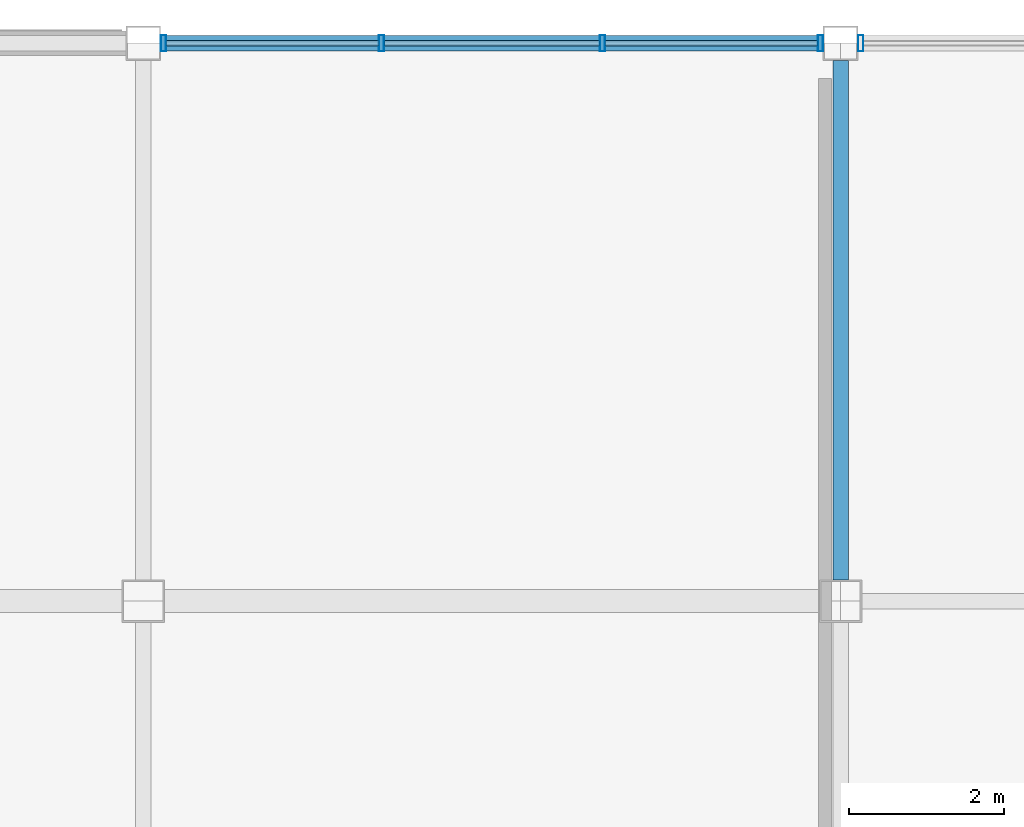
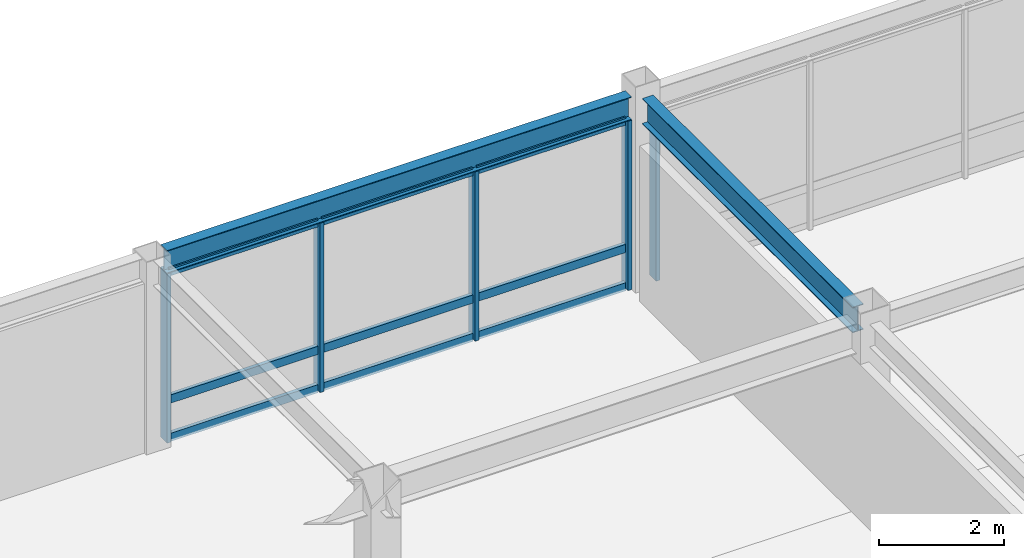
# One storey, part 64 of 113: 14 members, 2 beams, 2 elements without a shape of their own.
"""IFC4 building model written with IfcOpenShell, lengths in metres."""

from ifc_helpers import new_model, si_unit, direction, frame, origin, origin_2d, place, context, subcontext, project, spatial, hollow_rectangle, i_section, extrude, material, material_profile, profile_set, type_object, element, aggregate, save


model = new_model("IFC4")

# Units and contexts
model_context = context("Model", 3, precision=1e-05, world=origin(), true_north=direction((0.0, 1.0)))
body_context = subcontext(model_context, "Body", "Model", "MODEL_VIEW")
ifc_project = project(units=[si_unit("LENGTHUNIT", "METRE"), si_unit("AREAUNIT", "SQUARE_METRE"), si_unit("VOLUMEUNIT", "CUBIC_METRE"), si_unit("PLANEANGLEUNIT", "RADIAN"), si_unit("MASSUNIT", "GRAM", prefix="KILO")], contexts=[model_context])

# Site, building, storey
site_placement = place(None, origin())
site = spatial("IfcSite", under=ifc_project, at=site_placement, CompositionType="ELEMENT")
building_placement = place(site_placement, origin())
building = spatial("IfcBuilding", under=site, at=building_placement, Name="Kazanami Central Library", CompositionType="ELEMENT")
storey_placement = place(building_placement, frame((0.0, 0.0, 8.800048828125)))
storey = spatial("IfcBuildingStorey", under=building, at=storey_placement, Name="L03", CompositionType="ELEMENT", Elevation=8.800048828125)

# Beams
ifc_material_1 = material(Name="Steel SN490B (325 MPa)", Category="steel")
ifc_material_profile_1 = material_profile(ifc_material_1, i_section(OverallWidth=0.199951171875, OverallDepth=0.5, WebThickness=0.010009765625, FlangeThickness=0.01611328125, at=origin_2d()), Name="H-500x200x10x16")
ifc_profile_set_1 = profile_set([ifc_material_profile_1], Name="Steel SN490B (325 MPa)")
beam_type_1 = type_object("IfcBeamType", Name="BM-G-Y2", PredefinedType="BEAM", material=ifc_profile_set_1)
beam_1_placement = place(storey_placement, frame((63.0, 86.673095703125, 3.494873046875), z_axis=(0.0, 1.0, 0.0), x_axis=(-1.0, 0.0, 0.0)))
element("IfcBeam", 1, at=beam_1_placement, inside=storey, type_object=beam_type_1, Name="Girder G-Y2 L03 8/N-O", PredefinedType="BEAM", context=body_context, shape_type="SweptSolid", body=[
    extrude(i_section(OverallWidth=0.199951171875, OverallDepth=0.5, WebThickness=0.010009765625, FlangeThickness=0.01611328125, at=origin_2d()), origin(), (0.0, 0.0, 1.0), 6.703857421875),
])
ifc_material_profile_2 = material_profile(ifc_material_1, i_section(OverallWidth=0.199951171875, OverallDepth=0.449951171875, WebThickness=0.009033203125, FlangeThickness=0.013916015625, at=origin_2d()), Name="H-450x200x9x14")
ifc_profile_set_2 = profile_set([ifc_material_profile_2], Name="Steel SN490B (325 MPa)")
beam_type_2 = type_object("IfcBeamType", Name="BM-SP-2", PredefinedType="SPANDREL", material=ifc_profile_set_2)
beam_2_placement = place(storey_placement, frame((54.222900390625, 93.60009765625, 3.52001953125), z_axis=(1.0, 0.0, 0.0), x_axis=(0.0, 1.0, 0.0)))
element("IfcBeam", 2, at=beam_2_placement, inside=storey, type_object=beam_type_2, Name="Girder SP-2 L03 O/7-8", PredefinedType="SPANDREL", context=body_context, shape_type="SweptSolid", body=[
    extrude(i_section(OverallWidth=0.199951171875, OverallDepth=0.449951171875, WebThickness=0.009033203125, FlangeThickness=0.013916015625, at=origin_2d()), origin(), (0.0, 0.0, 1.0), 8.55419921875),
])

# Curtain wall, members
ifc_material_2 = material(Name="Acid-Etched Low-E Laminated Glass", Category="glass")
curtain_wall_type = type_object("IfcCurtainWallType", Name="CW-8550x3295-M275", PredefinedType="USERDEFINED", material=ifc_material_2)
curtain_wall_1_placement = place(storey_placement, origin())
curtain_wall_1 = element("IfcCurtainWall", 3, at=curtain_wall_1_placement, inside=storey, type_object=curtain_wall_type, Name="Unitised Curtain Wall CW-30 L03 N-O-06", ObjectType="UNITISED CURTAIN WALL", PredefinedType="USERDEFINED")
ifc_material_3 = material(Name="Anodised Aluminium A6063-T5", Category="aluminium")
ifc_material_profile_3 = material_profile(ifc_material_3, hollow_rectangle(XDim=0.070068359375, YDim=0.2099609375, WallThickness=0.0048828125, at=origin_2d()), Name="ALU-MULL-70x210x5")
ifc_profile_set_3 = profile_set([ifc_material_profile_3], Name="Anodised Aluminium A6063-T5")
member_type_1 = type_object("IfcMemberType", Name="MEM-CW-M1", PredefinedType="MULLION", material=ifc_profile_set_3)
member_1_placement = place(storey_placement, frame((62.739990234375, 93.60009765625, 0.0), z_axis=(0.0, 0.0, 1.0), x_axis=(-1.0, 0.0, 0.0)))
member_1 = element("IfcMember", 4, at=member_1_placement, type_object=member_type_1, Name="CW-30 mullion 1", PredefinedType="MULLION", context=body_context, shape_type="SweptSolid", body=[
    extrude(hollow_rectangle(XDim=0.070068359375, YDim=0.2099609375, WallThickness=0.0048828125, at=origin_2d()), origin(), (0.0, 0.0, 1.0), 3.294921875),
])
member_2_placement = place(storey_placement, frame((59.925048828125, 93.60009765625, 0.0), z_axis=(0.0, 0.0, 1.0), x_axis=(-1.0, 0.0, 0.0)))
member_2 = element("IfcMember", 5, at=member_2_placement, type_object=member_type_1, Name="CW-30 mullion 2", PredefinedType="MULLION", context=body_context, shape_type="SweptSolid", body=[
    extrude(hollow_rectangle(XDim=0.070068359375, YDim=0.2099609375, WallThickness=0.0048828125, at=origin_2d()), origin(), (0.0, 0.0, 1.0), 3.294921875),
])
member_3_placement = place(storey_placement, frame((57.074951171875, 93.60009765625, 0.0), z_axis=(0.0, 0.0, 1.0), x_axis=(-1.0, 0.0, 0.0)))
member_3 = element("IfcMember", 6, at=member_3_placement, type_object=member_type_1, Name="CW-30 mullion 3", PredefinedType="MULLION", context=body_context, shape_type="SweptSolid", body=[
    extrude(hollow_rectangle(XDim=0.070068359375, YDim=0.2099609375, WallThickness=0.0048828125, at=origin_2d()), origin(), (0.0, 0.0, 1.0), 3.294921875),
])
member_4_placement = place(storey_placement, frame((54.260009765625, 93.60009765625, 0.0), z_axis=(0.0, 0.0, 1.0), x_axis=(-1.0, 0.0, 0.0)))
member_4 = element("IfcMember", 7, at=member_4_placement, type_object=member_type_1, Name="CW-30 mullion 4", PredefinedType="MULLION", context=body_context, shape_type="SweptSolid", body=[
    extrude(hollow_rectangle(XDim=0.070068359375, YDim=0.2099609375, WallThickness=0.0048828125, at=origin_2d()), origin(), (0.0, 0.0, 1.0), 3.294921875),
])

# Curtain wall, member
curtain_wall_2_placement = place(storey_placement, origin())
curtain_wall_2 = element("IfcCurtainWall", 8, at=curtain_wall_2_placement, inside=storey, type_object=curtain_wall_type, Name="Unitised Curtain Wall CW-30 L03 N-O-07", ObjectType="UNITISED CURTAIN WALL", PredefinedType="USERDEFINED")
member_5_placement = place(storey_placement, frame((63.260009765625, 93.60009765625, 0.0), z_axis=(0.0, 0.0, 1.0), x_axis=(-1.0, 0.0, 0.0)))
member_5 = element("IfcMember", 9, at=member_5_placement, type_object=member_type_1, Name="CW-30 mullion 4", PredefinedType="MULLION", context=body_context, shape_type="SweptSolid", body=[
    extrude(hollow_rectangle(XDim=0.070068359375, YDim=0.2099609375, WallThickness=0.0048828125, at=origin_2d()), origin(), (0.0, 0.0, 1.0), 3.294921875),
])
aggregate(curtain_wall_2, [member_5])

# Member
ifc_material_profile_4 = material_profile(ifc_material_3, hollow_rectangle(XDim=0.070068359375, YDim=0.159912109375, WallThickness=0.00390625, at=origin_2d()), Name="ALU-TRAN-70x160x4")
ifc_profile_set_4 = profile_set([ifc_material_profile_4], Name="Anodised Aluminium A6063-T5")
member_type_2 = type_object("IfcMemberType", Name="MEM-CW-T1", PredefinedType="USERDEFINED", material=ifc_profile_set_4)
member_6_placement = place(storey_placement, frame((62.705078125, 93.60009765625, 0.034912109375), z_axis=(-1.0, 0.0, 0.0), x_axis=(0.0, -1.0, 0.0)))
member_6 = element("IfcMember", 10, at=member_6_placement, type_object=member_type_2, Name="CW-30 transom 1.1", ObjectType="TRANSOM", PredefinedType="USERDEFINED", context=body_context, shape_type="SweptSolid", body=[
    extrude(hollow_rectangle(XDim=0.070068359375, YDim=0.159912109375, WallThickness=0.00390625, at=origin_2d()), origin(), (0.0, 0.0, 1.0), 2.7451171875),
])

member_7_placement = place(storey_placement, frame((62.705078125, 93.60009765625, 0.780029296875), z_axis=(-1.0, 0.0, 0.0), x_axis=(0.0, -1.0, 0.0)))
member_7 = element("IfcMember", 11, at=member_7_placement, type_object=member_type_2, Name="CW-30 transom 1.2", ObjectType="TRANSOM", PredefinedType="USERDEFINED", context=body_context, shape_type="SweptSolid", body=[
    extrude(hollow_rectangle(XDim=0.070068359375, YDim=0.159912109375, WallThickness=0.00390625, at=origin_2d()), origin(), (0.0, 0.0, 1.0), 2.7451171875),
])

member_8_placement = place(storey_placement, frame((62.705078125, 93.60009765625, 3.260009765625), z_axis=(-1.0, 0.0, 0.0), x_axis=(0.0, -1.0, 0.0)))
member_8 = element("IfcMember", 12, at=member_8_placement, type_object=member_type_2, Name="CW-30 transom 1.3", ObjectType="TRANSOM", PredefinedType="USERDEFINED", context=body_context, shape_type="SweptSolid", body=[
    extrude(hollow_rectangle(XDim=0.070068359375, YDim=0.159912109375, WallThickness=0.00390625, at=origin_2d()), origin(), (0.0, 0.0, 1.0), 2.7451171875),
])

member_9_placement = place(storey_placement, frame((59.889892578125, 93.60009765625, 0.034912109375), z_axis=(-1.0, 0.0, 0.0), x_axis=(0.0, -1.0, 0.0)))
member_9 = element("IfcMember", 13, at=member_9_placement, type_object=member_type_2, Name="CW-30 transom 2.1", ObjectType="TRANSOM", PredefinedType="USERDEFINED", context=body_context, shape_type="SweptSolid", body=[
    extrude(hollow_rectangle(XDim=0.070068359375, YDim=0.159912109375, WallThickness=0.00390625, at=origin_2d()), origin(), (0.0, 0.0, 1.0), 2.77978515625),
])

member_10_placement = place(storey_placement, frame((59.889892578125, 93.60009765625, 0.780029296875), z_axis=(-1.0, 0.0, 0.0), x_axis=(0.0, -1.0, 0.0)))
member_10 = element("IfcMember", 14, at=member_10_placement, type_object=member_type_2, Name="CW-30 transom 2.2", ObjectType="TRANSOM", PredefinedType="USERDEFINED", context=body_context, shape_type="SweptSolid", body=[
    extrude(hollow_rectangle(XDim=0.070068359375, YDim=0.159912109375, WallThickness=0.00390625, at=origin_2d()), origin(), (0.0, 0.0, 1.0), 2.77978515625),
])

member_11_placement = place(storey_placement, frame((59.889892578125, 93.60009765625, 3.260009765625), z_axis=(-1.0, 0.0, 0.0), x_axis=(0.0, -1.0, 0.0)))
member_11 = element("IfcMember", 15, at=member_11_placement, type_object=member_type_2, Name="CW-30 transom 2.3", ObjectType="TRANSOM", PredefinedType="USERDEFINED", context=body_context, shape_type="SweptSolid", body=[
    extrude(hollow_rectangle(XDim=0.070068359375, YDim=0.159912109375, WallThickness=0.00390625, at=origin_2d()), origin(), (0.0, 0.0, 1.0), 2.77978515625),
])

member_12_placement = place(storey_placement, frame((57.0400390625, 93.60009765625, 0.034912109375), z_axis=(-1.0, 0.0, 0.0), x_axis=(0.0, -1.0, 0.0)))
member_12 = element("IfcMember", 16, at=member_12_placement, type_object=member_type_2, Name="CW-30 transom 3.1", ObjectType="TRANSOM", PredefinedType="USERDEFINED", context=body_context, shape_type="SweptSolid", body=[
    extrude(hollow_rectangle(XDim=0.070068359375, YDim=0.159912109375, WallThickness=0.00390625, at=origin_2d()), origin(), (0.0, 0.0, 1.0), 2.7451171875),
])

member_13_placement = place(storey_placement, frame((57.0400390625, 93.60009765625, 0.780029296875), z_axis=(-1.0, 0.0, 0.0), x_axis=(0.0, -1.0, 0.0)))
member_13 = element("IfcMember", 17, at=member_13_placement, type_object=member_type_2, Name="CW-30 transom 3.2", ObjectType="TRANSOM", PredefinedType="USERDEFINED", context=body_context, shape_type="SweptSolid", body=[
    extrude(hollow_rectangle(XDim=0.070068359375, YDim=0.159912109375, WallThickness=0.00390625, at=origin_2d()), origin(), (0.0, 0.0, 1.0), 2.7451171875),
])

member_14_placement = place(storey_placement, frame((57.0400390625, 93.60009765625, 3.260009765625), z_axis=(-1.0, 0.0, 0.0), x_axis=(0.0, -1.0, 0.0)))
member_14 = element("IfcMember", 18, at=member_14_placement, type_object=member_type_2, Name="CW-30 transom 3.3", ObjectType="TRANSOM", PredefinedType="USERDEFINED", context=body_context, shape_type="SweptSolid", body=[
    extrude(hollow_rectangle(XDim=0.070068359375, YDim=0.159912109375, WallThickness=0.00390625, at=origin_2d()), origin(), (0.0, 0.0, 1.0), 2.7451171875),
])

aggregate(curtain_wall_1, [member_1, member_2, member_3, member_4, member_6, member_7, member_8, member_9, member_10, member_11, member_12, member_13, member_14])

save(model, "model.ifc")
